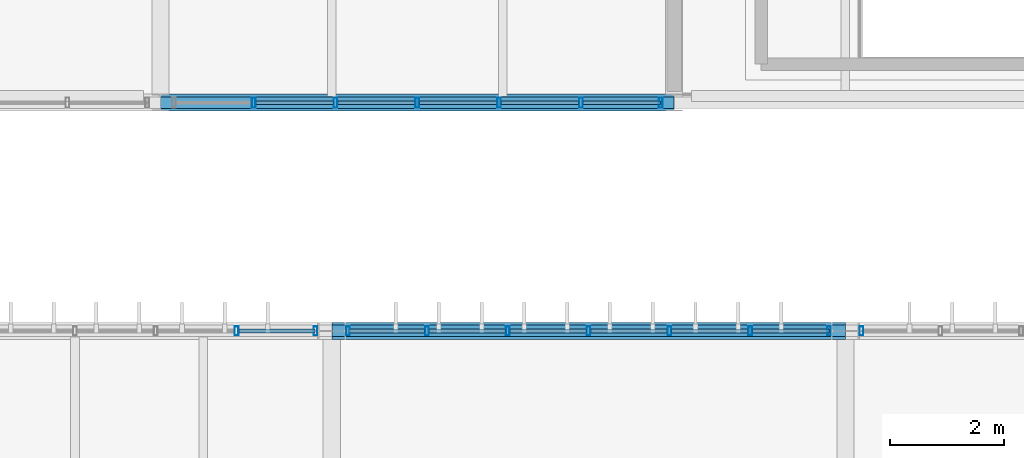
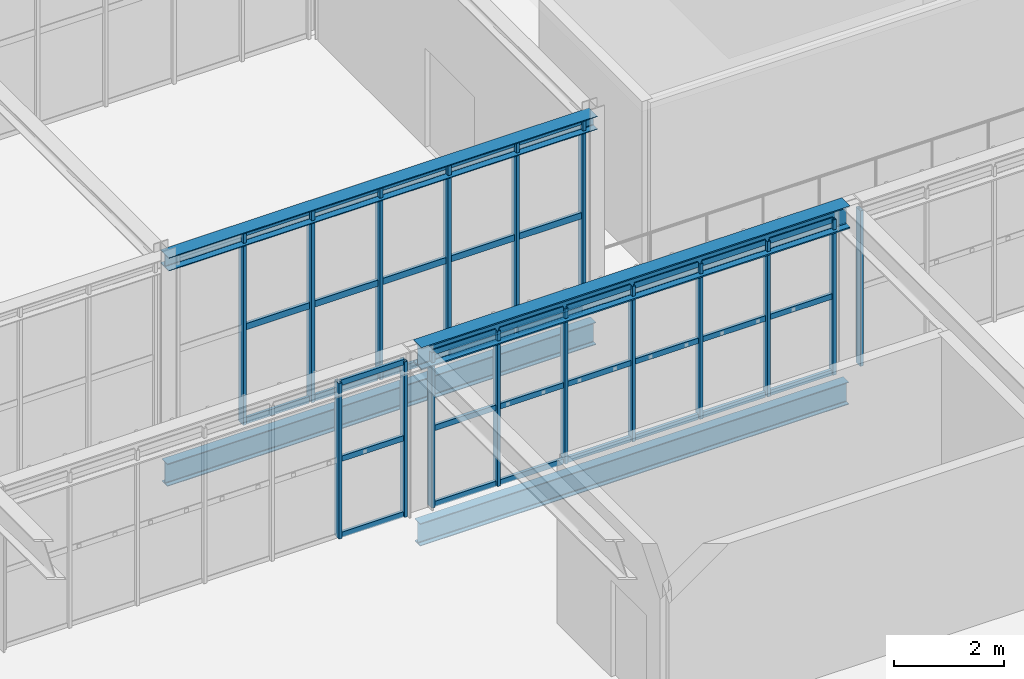
# One storey, part 67 of 152: 52 members, 4 beams, 4 elements without a shape of their own.
"""IFC4 building model written with IfcOpenShell, lengths in metres."""

from ifc_helpers import new_model, si_unit, derived_unit, direction, frame, origin, origin_2d, place, context, subcontext, project, spatial, hollow_rectangle, i_section, extrude, material, material_profile, profile_set, type_object, element, aggregate, save


model = new_model("IFC4")

# Units and contexts
model_context = context("Model", 3, precision=1e-05, world=origin(), true_north=direction((0.0, 1.0)))
body_context = subcontext(model_context, "Body", "Model", "MODEL_VIEW")
ifc_project = project(units=[si_unit("LENGTHUNIT", "METRE"), si_unit("AREAUNIT", "SQUARE_METRE"), si_unit("VOLUMEUNIT", "CUBIC_METRE"), si_unit("PLANEANGLEUNIT", "RADIAN"), si_unit("MASSUNIT", "GRAM", prefix="KILO"), si_unit("THERMODYNAMICTEMPERATUREUNIT", "KELVIN"), si_unit("TIMEUNIT", "SECOND"), derived_unit("THERMALTRANSMITTANCEUNIT", [(si_unit("MASSUNIT", "GRAM", prefix="KILO"), 1), (si_unit("THERMODYNAMICTEMPERATUREUNIT", "KELVIN"), -1), (si_unit("TIMEUNIT", "SECOND"), -3)])], contexts=[model_context])

# Site, building, storey
site_placement = place(None, origin())
site = spatial("IfcSite", under=ifc_project, at=site_placement, CompositionType="ELEMENT")
building_placement = place(site_placement, origin())
building = spatial("IfcBuilding", under=site, at=building_placement, Name="Cambertide Market Hall", CompositionType="ELEMENT")
storey_placement = place(building_placement, frame((0.0, 0.0, 5.39990234375)))
storey = spatial("IfcBuildingStorey", under=building, at=storey_placement, Name="L02", CompositionType="ELEMENT", Elevation=5.39990234375)

# Curtain wall, members
ifc_material_1 = material(Name="Marine Anodized Aluminium 6063-T6 AA25", Category="aluminium")
curtain_wall_type_1 = type_object("IfcCurtainWallType", Name="Lantern Straight Upper Curtain Wall", PredefinedType="USERDEFINED", material=ifc_material_1)
curtain_wall_1_placement = place(storey_placement, origin())
curtain_wall_1 = element("IfcCurtainWall", 1, at=curtain_wall_1_placement, inside=storey, type_object=curtain_wall_type_1, Name="Level 2 Curtain Wall CW-V1N-L02-4", ObjectType="UNITIZED CURTAIN WALL", PredefinedType="USERDEFINED")
ifc_material_2 = material(Name="Champagne Marine Anodized Aluminium 6063-T6 AA25", Category="aluminium")
ifc_material_profile_1 = material_profile(ifc_material_2, hollow_rectangle(XDim=0.06494140625, YDim=0.159912109375, WallThickness=0.00341796875, at=origin_2d()), Name="ALU MULLION 65x160")
ifc_profile_set_1 = profile_set([ifc_material_profile_1], Name="Champagne Marine Anodized Aluminium 6063-T6 AA25")
member_type_1 = type_object("IfcMemberType", Name="Curtain Wall Mullion ALU MULLION 65x160", PredefinedType="MULLION", material=ifc_profile_set_1)
member_1_placement = place(storey_placement, frame((76.333251953125, 92.0, 0.0), z_axis=(0.0, 0.0, 1.0), x_axis=(1.0, 0.0, 0.0)))
member_1 = element("IfcMember", 2, at=member_1_placement, type_object=member_type_1, Name="CW-V1N-L02-4 Mullion 6", PredefinedType="MULLION", context=body_context, shape_type="SweptSolid", body=[
    extrude(hollow_rectangle(XDim=0.06494140625, YDim=0.159912109375, WallThickness=0.00341796875, at=origin_2d()), origin(), (0.0, 0.0, 1.0), 3.4501953125),
])
member_2_placement = place(storey_placement, frame((77.715087890625, 92.0, 0.0), z_axis=(0.0, 0.0, 1.0), x_axis=(1.0, 0.0, 0.0)))
member_2 = element("IfcMember", 3, at=member_2_placement, type_object=member_type_1, Name="CW-V1N-L02-4 Mullion 7", PredefinedType="MULLION", context=body_context, shape_type="SweptSolid", body=[
    extrude(hollow_rectangle(XDim=0.06494140625, YDim=0.159912109375, WallThickness=0.00341796875, at=origin_2d()), origin(), (0.0, 0.0, 1.0), 3.4501953125),
])

curtain_wall_2_placement = place(storey_placement, origin())
curtain_wall_2 = element("IfcCurtainWall", 4, at=curtain_wall_2_placement, inside=storey, type_object=curtain_wall_type_1, Name="Level 2 Curtain Wall CW-V1N-L02-5", ObjectType="UNITIZED CURTAIN WALL", PredefinedType="USERDEFINED")
member_3_placement = place(storey_placement, frame((78.284912109375, 92.0, 0.0), z_axis=(0.0, 0.0, 1.0), x_axis=(1.0, 0.0, 0.0)))
member_3 = element("IfcMember", 5, at=member_3_placement, type_object=member_type_1, Name="CW-V1N-L02-5 Mullion 1", PredefinedType="MULLION", context=body_context, shape_type="SweptSolid", body=[
    extrude(hollow_rectangle(XDim=0.06494140625, YDim=0.159912109375, WallThickness=0.00341796875, at=origin_2d()), origin(), (0.0, 0.0, 1.0), 3.4501953125),
])
member_4_placement = place(storey_placement, frame((79.666748046875, 92.0, 0.0), z_axis=(0.0, 0.0, 1.0), x_axis=(1.0, 0.0, 0.0)))
member_4 = element("IfcMember", 6, at=member_4_placement, type_object=member_type_1, Name="CW-V1N-L02-5 Mullion 2", PredefinedType="MULLION", context=body_context, shape_type="SweptSolid", body=[
    extrude(hollow_rectangle(XDim=0.06494140625, YDim=0.159912109375, WallThickness=0.00341796875, at=origin_2d()), origin(), (0.0, 0.0, 1.0), 3.4501953125),
])
member_5_placement = place(storey_placement, frame((81.083251953125, 92.0, 0.0), z_axis=(0.0, 0.0, 1.0), x_axis=(1.0, 0.0, 0.0)))
member_5 = element("IfcMember", 7, at=member_5_placement, type_object=member_type_1, Name="CW-V1N-L02-5 Mullion 3", PredefinedType="MULLION", context=body_context, shape_type="SweptSolid", body=[
    extrude(hollow_rectangle(XDim=0.06494140625, YDim=0.159912109375, WallThickness=0.00341796875, at=origin_2d()), origin(), (0.0, 0.0, 1.0), 3.4501953125),
])
member_6_placement = place(storey_placement, frame((82.5, 92.0, 0.0), z_axis=(0.0, 0.0, 1.0), x_axis=(1.0, 0.0, 0.0)))
member_6 = element("IfcMember", 8, at=member_6_placement, type_object=member_type_1, Name="CW-V1N-L02-5 Mullion 4", PredefinedType="MULLION", context=body_context, shape_type="SweptSolid", body=[
    extrude(hollow_rectangle(XDim=0.06494140625, YDim=0.159912109375, WallThickness=0.00341796875, at=origin_2d()), origin(), (0.0, 0.0, 1.0), 3.4501953125),
])
member_7_placement = place(storey_placement, frame((83.916748046875, 92.0, 0.0), z_axis=(0.0, 0.0, 1.0), x_axis=(1.0, 0.0, 0.0)))
member_7 = element("IfcMember", 9, at=member_7_placement, type_object=member_type_1, Name="CW-V1N-L02-5 Mullion 5", PredefinedType="MULLION", context=body_context, shape_type="SweptSolid", body=[
    extrude(hollow_rectangle(XDim=0.06494140625, YDim=0.159912109375, WallThickness=0.00341796875, at=origin_2d()), origin(), (0.0, 0.0, 1.0), 3.4501953125),
])
member_8_placement = place(storey_placement, frame((85.333251953125, 92.0, 0.0), z_axis=(0.0, 0.0, 1.0), x_axis=(1.0, 0.0, 0.0)))
member_8 = element("IfcMember", 10, at=member_8_placement, type_object=member_type_1, Name="CW-V1N-L02-5 Mullion 6", PredefinedType="MULLION", context=body_context, shape_type="SweptSolid", body=[
    extrude(hollow_rectangle(XDim=0.06494140625, YDim=0.159912109375, WallThickness=0.00341796875, at=origin_2d()), origin(), (0.0, 0.0, 1.0), 3.4501953125),
])
member_9_placement = place(storey_placement, frame((86.715087890625, 92.0, 0.0), z_axis=(0.0, 0.0, 1.0), x_axis=(1.0, 0.0, 0.0)))
member_9 = element("IfcMember", 11, at=member_9_placement, type_object=member_type_1, Name="CW-V1N-L02-5 Mullion 7", PredefinedType="MULLION", context=body_context, shape_type="SweptSolid", body=[
    extrude(hollow_rectangle(XDim=0.06494140625, YDim=0.159912109375, WallThickness=0.00341796875, at=origin_2d()), origin(), (0.0, 0.0, 1.0), 3.4501953125),
])

# Curtain wall, member
curtain_wall_3_placement = place(storey_placement, origin())
curtain_wall_3 = element("IfcCurtainWall", 12, at=curtain_wall_3_placement, inside=storey, type_object=curtain_wall_type_1, Name="Level 2 Curtain Wall CW-V1N-L02-6", ObjectType="UNITIZED CURTAIN WALL", PredefinedType="USERDEFINED")
member_10_placement = place(storey_placement, frame((87.284912109375, 92.0, 0.0), z_axis=(0.0, 0.0, 1.0), x_axis=(1.0, 0.0, 0.0)))
member_10 = element("IfcMember", 13, at=member_10_placement, type_object=member_type_1, Name="CW-V1N-L02-6 Mullion 1", PredefinedType="MULLION", context=body_context, shape_type="SweptSolid", body=[
    extrude(hollow_rectangle(XDim=0.06494140625, YDim=0.159912109375, WallThickness=0.00341796875, at=origin_2d()), origin(), (0.0, 0.0, 1.0), 3.4501953125),
])
aggregate(curtain_wall_3, [member_10])

# Curtain wall, members
ifc_material_3 = material(Name="Marine Anodized Aluminium 6063-T6 AA25", Category="aluminium")
curtain_wall_type_2 = type_object("IfcCurtainWallType", Name="Herb Tea Pavilion Terrace Glazed Wall", PredefinedType="USERDEFINED", material=ifc_material_3)
curtain_wall_4_placement = place(storey_placement, origin())
curtain_wall_4 = element("IfcCurtainWall", 14, at=curtain_wall_4_placement, inside=storey, type_object=curtain_wall_type_2, Name="Level 2 Curtain Wall CW-V2PAV-S-7", ObjectType="UNITIZED CURTAIN WALL", PredefinedType="USERDEFINED")
ifc_material_4 = material(Name="Champagne Marine Anodized Aluminium 6063-T6 AA25", Category="aluminium")
ifc_material_profile_2 = material_profile(ifc_material_4, hollow_rectangle(XDim=0.06494140625, YDim=0.179931640625, WallThickness=0.00390625, at=origin_2d()), Name="ALU MULLION 65x180")
ifc_profile_set_2 = profile_set([ifc_material_profile_2], Name="Champagne Marine Anodized Aluminium 6063-T6 AA25")
member_type_2 = type_object("IfcMemberType", Name="Curtain Wall Mullion ALU MULLION 65x180", PredefinedType="MULLION", material=ifc_profile_set_2)
member_11_placement = place(storey_placement, frame((83.764892578125, 96.0, 0.0), z_axis=(0.0, 0.0, 1.0), x_axis=(-1.0, 0.0, 0.0)))
member_11 = element("IfcMember", 15, at=member_11_placement, type_object=member_type_2, Name="CW-V2PAV-S-7 Mullion 1", PredefinedType="MULLION", context=body_context, shape_type="SweptSolid", body=[
    extrude(hollow_rectangle(XDim=0.06494140625, YDim=0.179931640625, WallThickness=0.00390625, at=origin_2d()), origin(), (0.0, 0.0, 1.0), 4.25),
])
member_12_placement = place(storey_placement, frame((82.36669921875, 96.0, 0.0), z_axis=(0.0, 0.0, 1.0), x_axis=(-1.0, 0.0, 0.0)))
member_12 = element("IfcMember", 16, at=member_12_placement, type_object=member_type_2, Name="CW-V2PAV-S-7 Mullion 2", PredefinedType="MULLION", context=body_context, shape_type="SweptSolid", body=[
    extrude(hollow_rectangle(XDim=0.06494140625, YDim=0.179931640625, WallThickness=0.00390625, at=origin_2d()), origin(), (0.0, 0.0, 1.0), 4.25),
])
member_13_placement = place(storey_placement, frame((80.933349609375, 96.0, 0.0), z_axis=(0.0, 0.0, 1.0), x_axis=(-1.0, 0.0, 0.0)))
member_13 = element("IfcMember", 17, at=member_13_placement, type_object=member_type_2, Name="CW-V2PAV-S-7 Mullion 3", PredefinedType="MULLION", context=body_context, shape_type="SweptSolid", body=[
    extrude(hollow_rectangle(XDim=0.06494140625, YDim=0.179931640625, WallThickness=0.00390625, at=origin_2d()), origin(), (0.0, 0.0, 1.0), 4.25),
])
member_14_placement = place(storey_placement, frame((79.5, 96.0, 0.0), z_axis=(0.0, 0.0, 1.0), x_axis=(-1.0, 0.0, 0.0)))
member_14 = element("IfcMember", 18, at=member_14_placement, type_object=member_type_2, Name="CW-V2PAV-S-7 Mullion 4", PredefinedType="MULLION", context=body_context, shape_type="SweptSolid", body=[
    extrude(hollow_rectangle(XDim=0.06494140625, YDim=0.179931640625, WallThickness=0.00390625, at=origin_2d()), origin(), (0.0, 0.0, 1.0), 4.25),
])
member_15_placement = place(storey_placement, frame((78.066650390625, 96.0, 0.0), z_axis=(0.0, 0.0, 1.0), x_axis=(-1.0, 0.0, 0.0)))
member_15 = element("IfcMember", 19, at=member_15_placement, type_object=member_type_2, Name="CW-V2PAV-S-7 Mullion 5", PredefinedType="MULLION", context=body_context, shape_type="SweptSolid", body=[
    extrude(hollow_rectangle(XDim=0.06494140625, YDim=0.179931640625, WallThickness=0.00390625, at=origin_2d()), origin(), (0.0, 0.0, 1.0), 4.25),
])
member_16_placement = place(storey_placement, frame((76.63330078125, 96.0, 0.0), z_axis=(0.0, 0.0, 1.0), x_axis=(-1.0, 0.0, 0.0)))
member_16 = element("IfcMember", 20, at=member_16_placement, type_object=member_type_2, Name="CW-V2PAV-S-7 Mullion 6", PredefinedType="MULLION", context=body_context, shape_type="SweptSolid", body=[
    extrude(hollow_rectangle(XDim=0.06494140625, YDim=0.179931640625, WallThickness=0.00390625, at=origin_2d()), origin(), (0.0, 0.0, 1.0), 4.25),
])

# Member
ifc_material_5 = material(Name="Champagne Marine Anodized Aluminium 6063-T6 AA25", Category="aluminium")
ifc_material_profile_3 = material_profile(ifc_material_5, hollow_rectangle(XDim=0.06494140625, YDim=0.1201171875, WallThickness=0.003173828125, at=origin_2d()), Name="ALU TRANSOM 65x120")
ifc_profile_set_3 = profile_set([ifc_material_profile_3], Name="Champagne Marine Anodized Aluminium 6063-T6 AA25")
member_type_3 = type_object("IfcMemberType", Name="Curtain Wall Transom ALU TRANSOM 65x120", PredefinedType="USERDEFINED", material=ifc_profile_set_3)
member_17_placement = place(storey_placement, frame((76.373291015625, 92.0, 0.03515625), z_axis=(1.0, 0.0, 0.0), x_axis=(0.0, 1.0, 0.0)))
member_17 = element("IfcMember", 21, at=member_17_placement, type_object=member_type_3, Name="CW-V1N-L02-4 Transom 1-6", ObjectType="TRANSOM", PredefinedType="USERDEFINED", context=body_context, shape_type="SweptSolid", body=[
    extrude(hollow_rectangle(XDim=0.06494140625, YDim=0.1201171875, WallThickness=0.003173828125, at=origin_2d()), origin(), (0.0, 0.0, 1.0), 1.336669921875),
])

member_18_placement = place(storey_placement, frame((76.373291015625, 92.0, 1.72509765625), z_axis=(1.0, 0.0, 0.0), x_axis=(0.0, 1.0, 0.0)))
member_18 = element("IfcMember", 22, at=member_18_placement, type_object=member_type_3, Name="CW-V1N-L02-4 Transom 2-6", ObjectType="TRANSOM", PredefinedType="USERDEFINED", context=body_context, shape_type="SweptSolid", body=[
    extrude(hollow_rectangle(XDim=0.06494140625, YDim=0.1201171875, WallThickness=0.003173828125, at=origin_2d()), origin(), (0.0, 0.0, 1.0), 1.336669921875),
])

member_19_placement = place(storey_placement, frame((76.373291015625, 92.0, 3.4150390625), z_axis=(1.0, 0.0, 0.0), x_axis=(0.0, 1.0, 0.0)))
member_19 = element("IfcMember", 23, at=member_19_placement, type_object=member_type_3, Name="CW-V1N-L02-4 Transom 3-6", ObjectType="TRANSOM", PredefinedType="USERDEFINED", context=body_context, shape_type="SweptSolid", body=[
    extrude(hollow_rectangle(XDim=0.06494140625, YDim=0.1201171875, WallThickness=0.003173828125, at=origin_2d()), origin(), (0.0, 0.0, 1.0), 1.336669921875),
])

aggregate(curtain_wall_1, [member_1, member_2, member_17, member_18, member_19])

member_20_placement = place(storey_placement, frame((78.2900390625, 92.0, 0.03515625), z_axis=(1.0, 0.0, 0.0), x_axis=(0.0, 1.0, 0.0)))
member_20 = element("IfcMember", 24, at=member_20_placement, type_object=member_type_3, Name="CW-V1N-L02-5 Transom 1-1", ObjectType="TRANSOM", PredefinedType="USERDEFINED", context=body_context, shape_type="SweptSolid", body=[
    extrude(hollow_rectangle(XDim=0.06494140625, YDim=0.1201171875, WallThickness=0.003173828125, at=origin_2d()), origin(), (0.0, 0.0, 1.0), 1.336669921875),
])

member_21_placement = place(storey_placement, frame((79.706787109375, 92.0, 0.03515625), z_axis=(1.0, 0.0, 0.0), x_axis=(0.0, 1.0, 0.0)))
member_21 = element("IfcMember", 25, at=member_21_placement, type_object=member_type_3, Name="CW-V1N-L02-5 Transom 1-2", ObjectType="TRANSOM", PredefinedType="USERDEFINED", context=body_context, shape_type="SweptSolid", body=[
    extrude(hollow_rectangle(XDim=0.06494140625, YDim=0.1201171875, WallThickness=0.003173828125, at=origin_2d()), origin(), (0.0, 0.0, 1.0), 1.33642578125),
])

member_22_placement = place(storey_placement, frame((81.123291015625, 92.0, 0.03515625), z_axis=(1.0, 0.0, 0.0), x_axis=(0.0, 1.0, 0.0)))
member_22 = element("IfcMember", 26, at=member_22_placement, type_object=member_type_3, Name="CW-V1N-L02-5 Transom 1-3", ObjectType="TRANSOM", PredefinedType="USERDEFINED", context=body_context, shape_type="SweptSolid", body=[
    extrude(hollow_rectangle(XDim=0.06494140625, YDim=0.1201171875, WallThickness=0.003173828125, at=origin_2d()), origin(), (0.0, 0.0, 1.0), 1.336669921875),
])

member_23_placement = place(storey_placement, frame((82.5400390625, 92.0, 0.03515625), z_axis=(1.0, 0.0, 0.0), x_axis=(0.0, 1.0, 0.0)))
member_23 = element("IfcMember", 27, at=member_23_placement, type_object=member_type_3, Name="CW-V1N-L02-5 Transom 1-4", ObjectType="TRANSOM", PredefinedType="USERDEFINED", context=body_context, shape_type="SweptSolid", body=[
    extrude(hollow_rectangle(XDim=0.06494140625, YDim=0.1201171875, WallThickness=0.003173828125, at=origin_2d()), origin(), (0.0, 0.0, 1.0), 1.336669921875),
])

member_24_placement = place(storey_placement, frame((83.956787109375, 92.0, 0.03515625), z_axis=(1.0, 0.0, 0.0), x_axis=(0.0, 1.0, 0.0)))
member_24 = element("IfcMember", 28, at=member_24_placement, type_object=member_type_3, Name="CW-V1N-L02-5 Transom 1-5", ObjectType="TRANSOM", PredefinedType="USERDEFINED", context=body_context, shape_type="SweptSolid", body=[
    extrude(hollow_rectangle(XDim=0.06494140625, YDim=0.1201171875, WallThickness=0.003173828125, at=origin_2d()), origin(), (0.0, 0.0, 1.0), 1.33642578125),
])

member_25_placement = place(storey_placement, frame((85.373291015625, 92.0, 0.03515625), z_axis=(1.0, 0.0, 0.0), x_axis=(0.0, 1.0, 0.0)))
member_25 = element("IfcMember", 29, at=member_25_placement, type_object=member_type_3, Name="CW-V1N-L02-5 Transom 1-6", ObjectType="TRANSOM", PredefinedType="USERDEFINED", context=body_context, shape_type="SweptSolid", body=[
    extrude(hollow_rectangle(XDim=0.06494140625, YDim=0.1201171875, WallThickness=0.003173828125, at=origin_2d()), origin(), (0.0, 0.0, 1.0), 1.336669921875),
])

member_26_placement = place(storey_placement, frame((78.2900390625, 92.0, 1.72509765625), z_axis=(1.0, 0.0, 0.0), x_axis=(0.0, 1.0, 0.0)))
member_26 = element("IfcMember", 30, at=member_26_placement, type_object=member_type_3, Name="CW-V1N-L02-5 Transom 2-1", ObjectType="TRANSOM", PredefinedType="USERDEFINED", context=body_context, shape_type="SweptSolid", body=[
    extrude(hollow_rectangle(XDim=0.06494140625, YDim=0.1201171875, WallThickness=0.003173828125, at=origin_2d()), origin(), (0.0, 0.0, 1.0), 1.336669921875),
])

member_27_placement = place(storey_placement, frame((79.706787109375, 92.0, 1.72509765625), z_axis=(1.0, 0.0, 0.0), x_axis=(0.0, 1.0, 0.0)))
member_27 = element("IfcMember", 31, at=member_27_placement, type_object=member_type_3, Name="CW-V1N-L02-5 Transom 2-2", ObjectType="TRANSOM", PredefinedType="USERDEFINED", context=body_context, shape_type="SweptSolid", body=[
    extrude(hollow_rectangle(XDim=0.06494140625, YDim=0.1201171875, WallThickness=0.003173828125, at=origin_2d()), origin(), (0.0, 0.0, 1.0), 1.33642578125),
])

member_28_placement = place(storey_placement, frame((81.123291015625, 92.0, 1.72509765625), z_axis=(1.0, 0.0, 0.0), x_axis=(0.0, 1.0, 0.0)))
member_28 = element("IfcMember", 32, at=member_28_placement, type_object=member_type_3, Name="CW-V1N-L02-5 Transom 2-3", ObjectType="TRANSOM", PredefinedType="USERDEFINED", context=body_context, shape_type="SweptSolid", body=[
    extrude(hollow_rectangle(XDim=0.06494140625, YDim=0.1201171875, WallThickness=0.003173828125, at=origin_2d()), origin(), (0.0, 0.0, 1.0), 1.336669921875),
])

member_29_placement = place(storey_placement, frame((82.5400390625, 92.0, 1.72509765625), z_axis=(1.0, 0.0, 0.0), x_axis=(0.0, 1.0, 0.0)))
member_29 = element("IfcMember", 33, at=member_29_placement, type_object=member_type_3, Name="CW-V1N-L02-5 Transom 2-4", ObjectType="TRANSOM", PredefinedType="USERDEFINED", context=body_context, shape_type="SweptSolid", body=[
    extrude(hollow_rectangle(XDim=0.06494140625, YDim=0.1201171875, WallThickness=0.003173828125, at=origin_2d()), origin(), (0.0, 0.0, 1.0), 1.336669921875),
])

member_30_placement = place(storey_placement, frame((83.956787109375, 92.0, 1.72509765625), z_axis=(1.0, 0.0, 0.0), x_axis=(0.0, 1.0, 0.0)))
member_30 = element("IfcMember", 34, at=member_30_placement, type_object=member_type_3, Name="CW-V1N-L02-5 Transom 2-5", ObjectType="TRANSOM", PredefinedType="USERDEFINED", context=body_context, shape_type="SweptSolid", body=[
    extrude(hollow_rectangle(XDim=0.06494140625, YDim=0.1201171875, WallThickness=0.003173828125, at=origin_2d()), origin(), (0.0, 0.0, 1.0), 1.33642578125),
])

member_31_placement = place(storey_placement, frame((85.373291015625, 92.0, 1.72509765625), z_axis=(1.0, 0.0, 0.0), x_axis=(0.0, 1.0, 0.0)))
member_31 = element("IfcMember", 35, at=member_31_placement, type_object=member_type_3, Name="CW-V1N-L02-5 Transom 2-6", ObjectType="TRANSOM", PredefinedType="USERDEFINED", context=body_context, shape_type="SweptSolid", body=[
    extrude(hollow_rectangle(XDim=0.06494140625, YDim=0.1201171875, WallThickness=0.003173828125, at=origin_2d()), origin(), (0.0, 0.0, 1.0), 1.336669921875),
])

member_32_placement = place(storey_placement, frame((78.2900390625, 92.0, 3.4150390625), z_axis=(1.0, 0.0, 0.0), x_axis=(0.0, 1.0, 0.0)))
member_32 = element("IfcMember", 36, at=member_32_placement, type_object=member_type_3, Name="CW-V1N-L02-5 Transom 3-1", ObjectType="TRANSOM", PredefinedType="USERDEFINED", context=body_context, shape_type="SweptSolid", body=[
    extrude(hollow_rectangle(XDim=0.06494140625, YDim=0.1201171875, WallThickness=0.003173828125, at=origin_2d()), origin(), (0.0, 0.0, 1.0), 1.336669921875),
])

member_33_placement = place(storey_placement, frame((79.706787109375, 92.0, 3.4150390625), z_axis=(1.0, 0.0, 0.0), x_axis=(0.0, 1.0, 0.0)))
member_33 = element("IfcMember", 37, at=member_33_placement, type_object=member_type_3, Name="CW-V1N-L02-5 Transom 3-2", ObjectType="TRANSOM", PredefinedType="USERDEFINED", context=body_context, shape_type="SweptSolid", body=[
    extrude(hollow_rectangle(XDim=0.06494140625, YDim=0.1201171875, WallThickness=0.003173828125, at=origin_2d()), origin(), (0.0, 0.0, 1.0), 1.33642578125),
])

member_34_placement = place(storey_placement, frame((81.123291015625, 92.0, 3.4150390625), z_axis=(1.0, 0.0, 0.0), x_axis=(0.0, 1.0, 0.0)))
member_34 = element("IfcMember", 38, at=member_34_placement, type_object=member_type_3, Name="CW-V1N-L02-5 Transom 3-3", ObjectType="TRANSOM", PredefinedType="USERDEFINED", context=body_context, shape_type="SweptSolid", body=[
    extrude(hollow_rectangle(XDim=0.06494140625, YDim=0.1201171875, WallThickness=0.003173828125, at=origin_2d()), origin(), (0.0, 0.0, 1.0), 1.336669921875),
])

member_35_placement = place(storey_placement, frame((82.5400390625, 92.0, 3.4150390625), z_axis=(1.0, 0.0, 0.0), x_axis=(0.0, 1.0, 0.0)))
member_35 = element("IfcMember", 39, at=member_35_placement, type_object=member_type_3, Name="CW-V1N-L02-5 Transom 3-4", ObjectType="TRANSOM", PredefinedType="USERDEFINED", context=body_context, shape_type="SweptSolid", body=[
    extrude(hollow_rectangle(XDim=0.06494140625, YDim=0.1201171875, WallThickness=0.003173828125, at=origin_2d()), origin(), (0.0, 0.0, 1.0), 1.336669921875),
])

member_36_placement = place(storey_placement, frame((83.956787109375, 92.0, 3.4150390625), z_axis=(1.0, 0.0, 0.0), x_axis=(0.0, 1.0, 0.0)))
member_36 = element("IfcMember", 40, at=member_36_placement, type_object=member_type_3, Name="CW-V1N-L02-5 Transom 3-5", ObjectType="TRANSOM", PredefinedType="USERDEFINED", context=body_context, shape_type="SweptSolid", body=[
    extrude(hollow_rectangle(XDim=0.06494140625, YDim=0.1201171875, WallThickness=0.003173828125, at=origin_2d()), origin(), (0.0, 0.0, 1.0), 1.33642578125),
])

member_37_placement = place(storey_placement, frame((85.373291015625, 92.0, 3.4150390625), z_axis=(1.0, 0.0, 0.0), x_axis=(0.0, 1.0, 0.0)))
member_37 = element("IfcMember", 41, at=member_37_placement, type_object=member_type_3, Name="CW-V1N-L02-5 Transom 3-6", ObjectType="TRANSOM", PredefinedType="USERDEFINED", context=body_context, shape_type="SweptSolid", body=[
    extrude(hollow_rectangle(XDim=0.06494140625, YDim=0.1201171875, WallThickness=0.003173828125, at=origin_2d()), origin(), (0.0, 0.0, 1.0), 1.336669921875),
])

aggregate(curtain_wall_2, [member_3, member_4, member_5, member_6, member_7, member_8, member_9, member_20, member_21, member_22, member_23, member_24, member_25, member_26, member_27, member_28, member_29, member_30, member_31, member_32, member_33, member_34, member_35, member_36, member_37])

ifc_material_6 = material(Name="Champagne Marine Anodized Aluminium 6063-T6 AA25", Category="aluminium")
ifc_material_profile_4 = material_profile(ifc_material_6, hollow_rectangle(XDim=0.06494140625, YDim=0.139892578125, WallThickness=0.00341796875, at=origin_2d()), Name="ALU TRANSOM 65x140")
ifc_profile_set_4 = profile_set([ifc_material_profile_4], Name="Champagne Marine Anodized Aluminium 6063-T6 AA25")
member_type_4 = type_object("IfcMemberType", Name="Curtain Wall Transom ALU TRANSOM 65x140", PredefinedType="USERDEFINED", material=ifc_profile_set_4)
member_38_placement = place(storey_placement, frame((83.760009765625, 96.0, 0.03515625), z_axis=(-1.0, 0.0, 0.0), x_axis=(0.0, -1.0, 0.0)))
member_38 = element("IfcMember", 42, at=member_38_placement, type_object=member_type_4, Name="CW-V2PAV-S-7 Transom 1-1", ObjectType="TRANSOM", PredefinedType="USERDEFINED", context=body_context, shape_type="SweptSolid", body=[
    extrude(hollow_rectangle(XDim=0.06494140625, YDim=0.139892578125, WallThickness=0.00341796875, at=origin_2d()), origin(), (0.0, 0.0, 1.0), 1.353271484375),
])

member_39_placement = place(storey_placement, frame((82.32666015625, 96.0, 0.03515625), z_axis=(-1.0, 0.0, 0.0), x_axis=(0.0, -1.0, 0.0)))
member_39 = element("IfcMember", 43, at=member_39_placement, type_object=member_type_4, Name="CW-V2PAV-S-7 Transom 1-2", ObjectType="TRANSOM", PredefinedType="USERDEFINED", context=body_context, shape_type="SweptSolid", body=[
    extrude(hollow_rectangle(XDim=0.06494140625, YDim=0.139892578125, WallThickness=0.00341796875, at=origin_2d()), origin(), (0.0, 0.0, 1.0), 1.353271484375),
])

member_40_placement = place(storey_placement, frame((80.893310546875, 96.0, 0.03515625), z_axis=(-1.0, 0.0, 0.0), x_axis=(0.0, -1.0, 0.0)))
member_40 = element("IfcMember", 44, at=member_40_placement, type_object=member_type_4, Name="CW-V2PAV-S-7 Transom 1-3", ObjectType="TRANSOM", PredefinedType="USERDEFINED", context=body_context, shape_type="SweptSolid", body=[
    extrude(hollow_rectangle(XDim=0.06494140625, YDim=0.139892578125, WallThickness=0.00341796875, at=origin_2d()), origin(), (0.0, 0.0, 1.0), 1.353271484375),
])

member_41_placement = place(storey_placement, frame((79.4599609375, 96.0, 0.03515625), z_axis=(-1.0, 0.0, 0.0), x_axis=(0.0, -1.0, 0.0)))
member_41 = element("IfcMember", 45, at=member_41_placement, type_object=member_type_4, Name="CW-V2PAV-S-7 Transom 1-4", ObjectType="TRANSOM", PredefinedType="USERDEFINED", context=body_context, shape_type="SweptSolid", body=[
    extrude(hollow_rectangle(XDim=0.06494140625, YDim=0.139892578125, WallThickness=0.00341796875, at=origin_2d()), origin(), (0.0, 0.0, 1.0), 1.353271484375),
])

member_42_placement = place(storey_placement, frame((78.026611328125, 96.0, 0.03515625), z_axis=(-1.0, 0.0, 0.0), x_axis=(0.0, -1.0, 0.0)))
member_42 = element("IfcMember", 46, at=member_42_placement, type_object=member_type_4, Name="CW-V2PAV-S-7 Transom 1-5", ObjectType="TRANSOM", PredefinedType="USERDEFINED", context=body_context, shape_type="SweptSolid", body=[
    extrude(hollow_rectangle(XDim=0.06494140625, YDim=0.139892578125, WallThickness=0.00341796875, at=origin_2d()), origin(), (0.0, 0.0, 1.0), 1.353271484375),
])

member_43_placement = place(storey_placement, frame((83.760009765625, 96.0, 2.125), z_axis=(-1.0, 0.0, 0.0), x_axis=(0.0, -1.0, 0.0)))
member_43 = element("IfcMember", 47, at=member_43_placement, type_object=member_type_4, Name="CW-V2PAV-S-7 Transom 2-1", ObjectType="TRANSOM", PredefinedType="USERDEFINED", context=body_context, shape_type="SweptSolid", body=[
    extrude(hollow_rectangle(XDim=0.06494140625, YDim=0.139892578125, WallThickness=0.00341796875, at=origin_2d()), origin(), (0.0, 0.0, 1.0), 1.353271484375),
])

member_44_placement = place(storey_placement, frame((82.32666015625, 96.0, 2.125), z_axis=(-1.0, 0.0, 0.0), x_axis=(0.0, -1.0, 0.0)))
member_44 = element("IfcMember", 48, at=member_44_placement, type_object=member_type_4, Name="CW-V2PAV-S-7 Transom 2-2", ObjectType="TRANSOM", PredefinedType="USERDEFINED", context=body_context, shape_type="SweptSolid", body=[
    extrude(hollow_rectangle(XDim=0.06494140625, YDim=0.139892578125, WallThickness=0.00341796875, at=origin_2d()), origin(), (0.0, 0.0, 1.0), 1.353271484375),
])

member_45_placement = place(storey_placement, frame((80.893310546875, 96.0, 2.125), z_axis=(-1.0, 0.0, 0.0), x_axis=(0.0, -1.0, 0.0)))
member_45 = element("IfcMember", 49, at=member_45_placement, type_object=member_type_4, Name="CW-V2PAV-S-7 Transom 2-3", ObjectType="TRANSOM", PredefinedType="USERDEFINED", context=body_context, shape_type="SweptSolid", body=[
    extrude(hollow_rectangle(XDim=0.06494140625, YDim=0.139892578125, WallThickness=0.00341796875, at=origin_2d()), origin(), (0.0, 0.0, 1.0), 1.353271484375),
])

member_46_placement = place(storey_placement, frame((79.4599609375, 96.0, 2.125), z_axis=(-1.0, 0.0, 0.0), x_axis=(0.0, -1.0, 0.0)))
member_46 = element("IfcMember", 50, at=member_46_placement, type_object=member_type_4, Name="CW-V2PAV-S-7 Transom 2-4", ObjectType="TRANSOM", PredefinedType="USERDEFINED", context=body_context, shape_type="SweptSolid", body=[
    extrude(hollow_rectangle(XDim=0.06494140625, YDim=0.139892578125, WallThickness=0.00341796875, at=origin_2d()), origin(), (0.0, 0.0, 1.0), 1.353271484375),
])

member_47_placement = place(storey_placement, frame((78.026611328125, 96.0, 2.125), z_axis=(-1.0, 0.0, 0.0), x_axis=(0.0, -1.0, 0.0)))
member_47 = element("IfcMember", 51, at=member_47_placement, type_object=member_type_4, Name="CW-V2PAV-S-7 Transom 2-5", ObjectType="TRANSOM", PredefinedType="USERDEFINED", context=body_context, shape_type="SweptSolid", body=[
    extrude(hollow_rectangle(XDim=0.06494140625, YDim=0.139892578125, WallThickness=0.00341796875, at=origin_2d()), origin(), (0.0, 0.0, 1.0), 1.353271484375),
])

member_48_placement = place(storey_placement, frame((83.760009765625, 96.0, 4.215087890625), z_axis=(-1.0, 0.0, 0.0), x_axis=(0.0, -1.0, 0.0)))
member_48 = element("IfcMember", 52, at=member_48_placement, type_object=member_type_4, Name="CW-V2PAV-S-7 Transom 3-1", ObjectType="TRANSOM", PredefinedType="USERDEFINED", context=body_context, shape_type="SweptSolid", body=[
    extrude(hollow_rectangle(XDim=0.06494140625, YDim=0.139892578125, WallThickness=0.00341796875, at=origin_2d()), origin(), (0.0, 0.0, 1.0), 1.353271484375),
])

member_49_placement = place(storey_placement, frame((82.32666015625, 96.0, 4.215087890625), z_axis=(-1.0, 0.0, 0.0), x_axis=(0.0, -1.0, 0.0)))
member_49 = element("IfcMember", 53, at=member_49_placement, type_object=member_type_4, Name="CW-V2PAV-S-7 Transom 3-2", ObjectType="TRANSOM", PredefinedType="USERDEFINED", context=body_context, shape_type="SweptSolid", body=[
    extrude(hollow_rectangle(XDim=0.06494140625, YDim=0.139892578125, WallThickness=0.00341796875, at=origin_2d()), origin(), (0.0, 0.0, 1.0), 1.353271484375),
])

member_50_placement = place(storey_placement, frame((80.893310546875, 96.0, 4.215087890625), z_axis=(-1.0, 0.0, 0.0), x_axis=(0.0, -1.0, 0.0)))
member_50 = element("IfcMember", 54, at=member_50_placement, type_object=member_type_4, Name="CW-V2PAV-S-7 Transom 3-3", ObjectType="TRANSOM", PredefinedType="USERDEFINED", context=body_context, shape_type="SweptSolid", body=[
    extrude(hollow_rectangle(XDim=0.06494140625, YDim=0.139892578125, WallThickness=0.00341796875, at=origin_2d()), origin(), (0.0, 0.0, 1.0), 1.353271484375),
])

member_51_placement = place(storey_placement, frame((79.4599609375, 96.0, 4.215087890625), z_axis=(-1.0, 0.0, 0.0), x_axis=(0.0, -1.0, 0.0)))
member_51 = element("IfcMember", 55, at=member_51_placement, type_object=member_type_4, Name="CW-V2PAV-S-7 Transom 3-4", ObjectType="TRANSOM", PredefinedType="USERDEFINED", context=body_context, shape_type="SweptSolid", body=[
    extrude(hollow_rectangle(XDim=0.06494140625, YDim=0.139892578125, WallThickness=0.00341796875, at=origin_2d()), origin(), (0.0, 0.0, 1.0), 1.353271484375),
])

member_52_placement = place(storey_placement, frame((78.026611328125, 96.0, 4.215087890625), z_axis=(-1.0, 0.0, 0.0), x_axis=(0.0, -1.0, 0.0)))
member_52 = element("IfcMember", 56, at=member_52_placement, type_object=member_type_4, Name="CW-V2PAV-S-7 Transom 3-5", ObjectType="TRANSOM", PredefinedType="USERDEFINED", context=body_context, shape_type="SweptSolid", body=[
    extrude(hollow_rectangle(XDim=0.06494140625, YDim=0.139892578125, WallThickness=0.00341796875, at=origin_2d()), origin(), (0.0, 0.0, 1.0), 1.353271484375),
])

aggregate(curtain_wall_4, [member_11, member_12, member_13, member_14, member_15, member_16, member_38, member_39, member_40, member_41, member_42, member_43, member_44, member_45, member_46, member_47, member_48, member_49, member_50, member_51, member_52])

# Beams
ifc_material_7 = material(Name="Steel S355", Category="steel")
ifc_material_profile_5 = material_profile(ifc_material_7, i_section(OverallWidth=0.300048828125, OverallDepth=0.300048828125, WebThickness=0.010986328125, FlangeThickness=0.01904296875, FilletRadius=0.027099609375, at=origin_2d()), Name="HEB 300")
ifc_profile_set_5 = profile_set([ifc_material_profile_5], Name="Steel S355")
beam_type_1 = type_object("IfcBeamType", Name="Exterior Steel Girder HEB 300", PredefinedType="BEAM", material=ifc_profile_set_5)
beam_1_placement = place(storey_placement, frame((75.0, 96.0, 4.170166015625), z_axis=(1.0, 0.0, 0.0), x_axis=(0.0, 1.0, 0.0)))
element("IfcBeam", 57, at=beam_1_placement, inside=storey, type_object=beam_type_1, Name="Level 2 Beam BM-V2PAV-X-7-0", PredefinedType="BEAM", context=body_context, shape_type="SweptSolid", body=[
    extrude(i_section(OverallWidth=0.300048828125, OverallDepth=0.300048828125, WebThickness=0.010986328125, FlangeThickness=0.01904296875, FilletRadius=0.027099609375, at=origin_2d()), origin(), (0.0, 0.0, 1.0), 9.0),
])
ifc_material_8 = material(Name="Steel S355", Category="steel")
ifc_material_profile_6 = material_profile(ifc_material_8, i_section(OverallWidth=0.300048828125, OverallDepth=0.5, WebThickness=0.014404296875, FlangeThickness=0.028076171875, FilletRadius=0.027099609375, at=origin_2d()), Name="HEB 500")
ifc_profile_set_6 = profile_set([ifc_material_profile_6], Name="Steel S355")
beam_type_2 = type_object("IfcBeamType", Name="Exterior Steel Girder HEB 500", PredefinedType="BEAM", material=ifc_profile_set_6)
beam_2_placement = place(storey_placement, frame((78.0, 92.0, 3.4501953125), z_axis=(1.0, 0.0, 0.0), x_axis=(0.0, 1.0, 0.0)))
element("IfcBeam", 58, at=beam_2_placement, inside=storey, type_object=beam_type_2, Name="Level 2 Beam EAVE-V1N-5", PredefinedType="BEAM", context=body_context, shape_type="SweptSolid", body=[
    extrude(i_section(OverallWidth=0.300048828125, OverallDepth=0.5, WebThickness=0.014404296875, FlangeThickness=0.028076171875, FilletRadius=0.027099609375, at=origin_2d()), origin(), (0.0, 0.0, 1.0), 9.0),
])
ifc_material_9 = material(Name="Steel S355", Category="steel")
ifc_material_profile_7 = material_profile(ifc_material_9, i_section(OverallWidth=0.199951171875, OverallDepth=0.5, WebThickness=0.01025390625, FlangeThickness=0.01611328125, FilletRadius=0.02099609375, at=origin_2d()), Name="IPE 500")
ifc_profile_set_7 = profile_set([ifc_material_profile_7], Name="Steel S355")
beam_type_3 = type_object("IfcBeamType", Name="Perimeter Spandrel Beam IPE 500", PredefinedType="SPANDREL", material=ifc_profile_set_7)
beam_3_placement = place(storey_placement, frame((78.0, 92.0, -0.489990234375), z_axis=(1.0, 0.0, 0.0), x_axis=(0.0, 1.0, 0.0)))
element("IfcBeam", 59, at=beam_3_placement, inside=storey, type_object=beam_type_3, Name="Level 2 Spandrel BM-V1N-L02-5", PredefinedType="SPANDREL", context=body_context, shape_type="SweptSolid", body=[
    extrude(i_section(OverallWidth=0.199951171875, OverallDepth=0.5, WebThickness=0.01025390625, FlangeThickness=0.01611328125, FilletRadius=0.02099609375, at=origin_2d()), origin(), (0.0, 0.0, 1.0), 9.0),
])
ifc_material_10 = material(Name="Steel S355", Category="steel")
ifc_material_profile_8 = material_profile(ifc_material_10, i_section(OverallWidth=0.199951171875, OverallDepth=0.5, WebThickness=0.01025390625, FlangeThickness=0.01611328125, FilletRadius=0.02099609375, at=origin_2d()), Name="IPE 500")
ifc_profile_set_8 = profile_set([ifc_material_profile_8], Name="Steel S355")
beam_type_4 = type_object("IfcBeamType", Name="Steel Girder IPE 500", PredefinedType="BEAM", material=ifc_profile_set_8)
beam_4_placement = place(storey_placement, frame((75.0, 96.0, -0.539794921875), z_axis=(1.0, 0.0, 0.0), x_axis=(0.0, 1.0, 0.0)))
element("IfcBeam", 60, at=beam_4_placement, inside=storey, type_object=beam_type_4, Name="Level 2 Beam BM-V2X-L02-8-1", PredefinedType="BEAM", context=body_context, shape_type="SweptSolid", body=[
    extrude(i_section(OverallWidth=0.199951171875, OverallDepth=0.5, WebThickness=0.01025390625, FlangeThickness=0.01611328125, FilletRadius=0.02099609375, at=origin_2d()), origin(), (0.0, 0.0, 1.0), 9.0),
])

save(model, "model.ifc")
